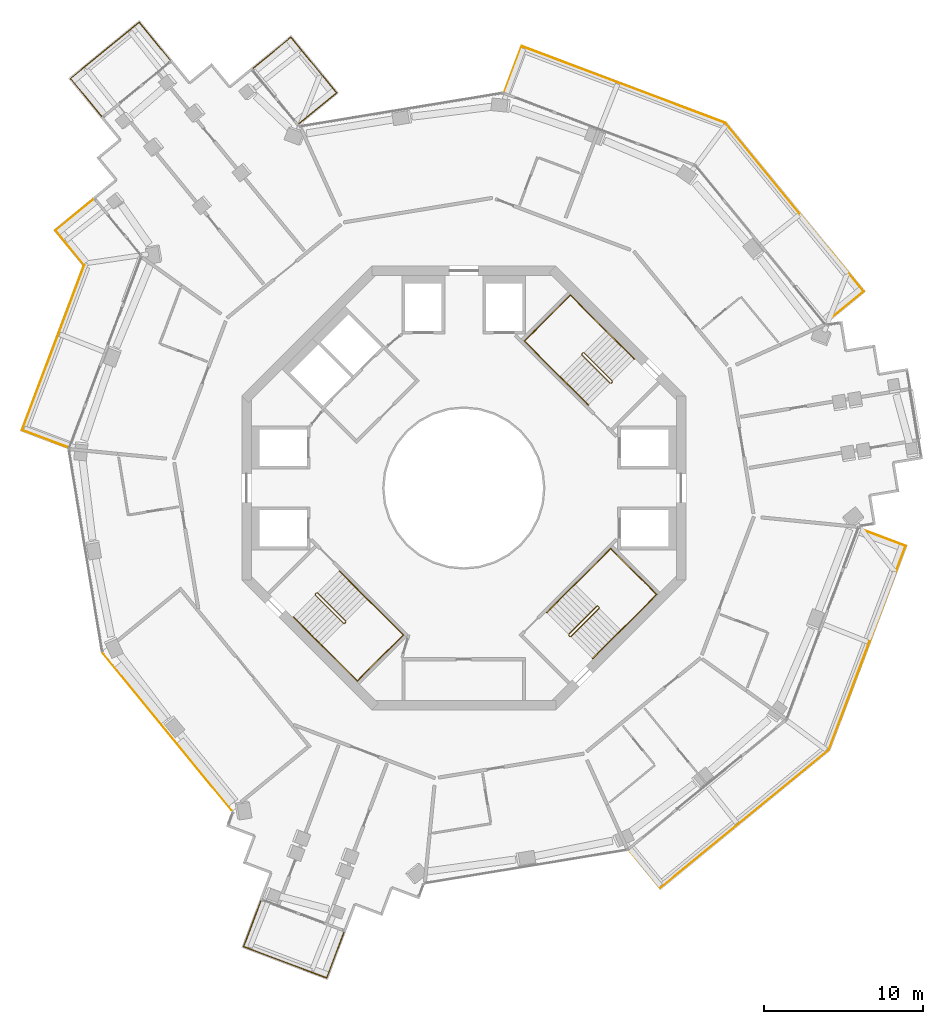
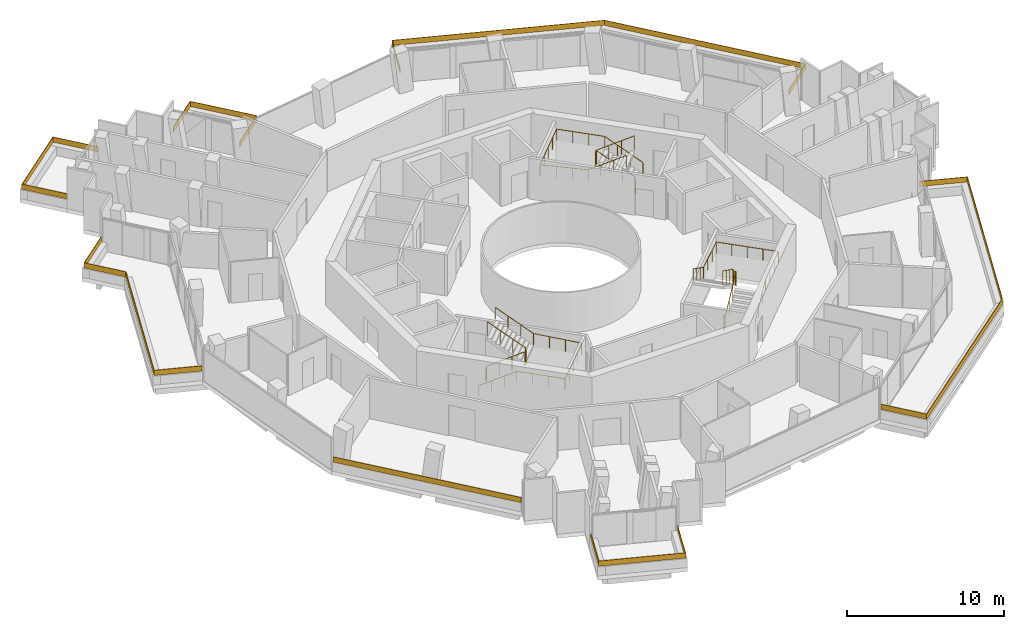
# One storey, part 21 of 21: 13 railings.
"""IFC4 building model written with IfcOpenShell, lengths in metres."""

from ifc_helpers import new_model, si_unit, direction, frame, origin, origin_2d, place, context, subcontext, project, spatial, polyline, rectangle, circle, outline, extrude, material, layer, layer_set, type_object, element, save


model = new_model("IFC4")

# Units and contexts
model_context = context("Model", 3, precision=1e-05, world=origin(), true_north=direction((0.0, 1.0)))
body_context = subcontext(model_context, "Body", "Model", "MODEL_VIEW")
ifc_project = project(units=[si_unit("LENGTHUNIT", "METRE"), si_unit("AREAUNIT", "SQUARE_METRE"), si_unit("VOLUMEUNIT", "CUBIC_METRE"), si_unit("PLANEANGLEUNIT", "RADIAN"), si_unit("MASSUNIT", "GRAM", prefix="KILO")], contexts=[model_context])

# Site, building, storey
site_placement = place(None, origin())
site = spatial("IfcSite", under=ifc_project, at=site_placement, CompositionType="ELEMENT")
building_placement = place(site_placement, origin())
building = spatial("IfcBuilding", under=site, at=building_placement, Name="Verdalira Terraces Hotel", CompositionType="ELEMENT")
storey_placement = place(building_placement, frame((0.0, 0.0, 194.0)))
storey = spatial("IfcBuildingStorey", under=building, at=storey_placement, Name="L47", CompositionType="ELEMENT", Elevation=194.0)

# Railings
ifc_material_1 = material(Name="Laminated glass", Category="glass")
ifc_layer = layer(ifc_material_1, 0.0400390625)
ifc_layer_set = layer_set([ifc_layer], Name="Balcony glass guard 400")
railing_type_1 = type_object("IfcRailingType", Name="Balcony glass guard 400", PredefinedType="GUARDRAIL", material=ifc_layer_set)
railing_1_placement = place(storey_placement, frame((0.0, 0.0, 0.699951)))
element("IfcRailing", 1, at=railing_1_placement, inside=storey, type_object=railing_type_1, Name="Balcony glass guard", PredefinedType="GUARDRAIL", context=body_context, shape_type="SweptSolid", body=[
    extrude(outline(polyline([(-20.474854, 29.345459), (-24.773682, 25.819336), (-22.821045, 23.438721), (-22.851807, 23.41333), (-24.830078, 25.824951), (-20.469238, 29.401855), (-18.491211, 26.990234), (-18.522217, 26.964844), (-20.474854, 29.345459)])), origin(), (0.0, 0.0, 1.0), 0.400146),
])
railing_2_placement = place(storey_placement, frame((0.0, 0.0, 0.699951)))
element("IfcRailing", 2, at=railing_2_placement, inside=storey, type_object=railing_type_1, Name="Balcony glass guard", PredefinedType="GUARDRAIL", context=body_context, shape_type="SweptSolid", body=[
    extrude(outline(polyline([(-25.71875, 16.249268), (-23.919189, 14.05542), (-27.83252, 3.666016), (-24.951172, 2.580811), (-24.965332, 2.543457), (-27.884033, 3.642822), (-23.964844, 14.047852), (-25.775146, 16.254883), (-23.363525, 18.23291), (-23.338135, 18.201904), (-25.71875, 16.249268)])), origin(), (0.0, 0.0, 1.0), 0.400146),
])
railing_3_placement = place(storey_placement, frame((0.0, 0.0, 0.699951)))
element("IfcRailing", 3, at=railing_3_placement, inside=storey, type_object=railing_type_1, Name="Balcony glass guard", PredefinedType="GUARDRAIL", context=body_context, shape_type="SweptSolid", body=[
    extrude(outline(polyline([(-13.859619, -28.908447), (-8.656494, -30.868164), (-7.571289, -27.986816), (-7.533691, -28.000977), (-8.633301, -30.919678), (-13.911133, -28.931641), (-12.811768, -26.012939), (-12.774414, -26.0271), (-13.859619, -28.908447)])), origin(), (0.0, 0.0, 1.0), 0.400146),
])
railing_4_placement = place(storey_placement, frame((0.0, 0.0, 0.699951)))
element("IfcRailing", 4, at=railing_4_placement, inside=storey, type_object=railing_type_1, Name="Balcony glass guard", PredefinedType="GUARDRAIL", context=body_context, shape_type="SweptSolid", body=[
    extrude(outline(polyline([(12.404785, -25.183594), (23.001465, -16.491699), (27.83252, -3.666016), (24.951172, -2.580811), (24.965332, -2.543457), (27.884033, -3.642822), (23.035156, -16.515869), (12.399414, -25.239746), (10.421143, -22.828369), (10.452148, -22.802979), (12.404785, -25.183594)])), origin(), (0.0, 0.0, 1.0), 0.400146),
])
railing_5_placement = place(storey_placement, frame((0.0, 0.0, 0.699951)))
element("IfcRailing", 5, at=railing_5_placement, inside=storey, type_object=railing_type_1, Name="Balcony glass guard", PredefinedType="GUARDRAIL", context=body_context, shape_type="SweptSolid", body=[
    extrude(outline(polyline([(25.183594, 12.404785), (16.491699, 23.001465), (3.666016, 27.83252), (2.580811, 24.951172), (2.543457, 24.965332), (3.642822, 27.884033), (16.515869, 23.035156), (25.239746, 12.399414), (22.828369, 10.421143), (22.802979, 10.452148), (25.183594, 12.404785)])), origin(), (0.0, 0.0, 1.0), 0.400146),
])
railing_6_placement = place(storey_placement, frame((0.0, 0.0, 0.699951)))
element("IfcRailing", 6, at=railing_6_placement, inside=storey, type_object=railing_type_1, Name="Balcony glass guard", PredefinedType="GUARDRAIL", context=body_context, shape_type="SweptSolid", body=[
    extrude(outline(polyline([(-8.053467, 24.924316), (-10.904785, 28.400391), (-13.2854, 26.447754), (-13.310791, 26.47876), (-10.89917, 28.456787), (-7.99707, 24.918701), (-10.408691, 22.940674), (-10.434082, 22.97168), (-8.053467, 24.924316)])), origin(), (0.0, 0.0, 1.0), 0.400146),
])
railing_7_placement = place(storey_placement, frame((-18.717285, -15.352783, 0.699951), z_axis=(0.0, 0.0, 1.0), x_axis=(0.634190889, -0.773176511, 0.0)))
element("IfcRailing", 7, at=railing_7_placement, inside=storey, type_object=railing_type_1, Name="Loggia glass guard", PredefinedType="GUARDRAIL", context=body_context, shape_type="SweptSolid", body=[
    extrude(rectangle(XDim=12.840088, YDim=0.040039, at=origin_2d()), origin(), (0.0, 0.0, 1.0), 0.399902),
])
ifc_material_2 = material(Name="Stainless steel", Category="steel")
railing_type_2 = type_object("IfcRailingType", Name="Stair guard 1100", PredefinedType="GUARDRAIL", material=ifc_material_2)
railing_8_placement = place(storey_placement, frame((9.369141, 6.682129, 0.0)))
element("IfcRailing", 8, at=railing_8_placement, inside=storey, type_object=railing_type_2, Name="L47 ST1 stair guard 1", PredefinedType="GUARDRAIL", context=body_context, shape_type="SweptSolid", body=[
    extrude(circle(Radius=0.023926, at=origin_2d()), frame((0.0, 0.0, 1.076172), z_axis=(-0.707106781, -0.707106781, 0.0), x_axis=(0.707106781, -0.707106781, 0.0)), (0.0, 0.0, 1.0), 0.100098),
    extrude(circle(Radius=0.023926, at=origin_2d()), frame((-0.070801, -0.070801, 1.076172), z_axis=(0.299976798, 0.599953596, 0.741666773), x_axis=(-0.894427191, 0.447213596, 0.0)), (0.0, 0.0, 1.0), 0.236084),
    extrude(circle(Radius=0.023926, at=origin_2d()), frame((0.0, 0.070801, 1.250977), z_axis=(-0.599667044, 0.599584886, 0.529997548), x_axis=(-0.707058338, -0.707155221, 0.0)), (0.0, 0.0, 1.0), 2.97168),
    extrude(circle(Radius=0.023926, at=origin_2d()), frame((-1.781982, 1.852539, 2.826172), z_axis=(-1.0, 0.0, 0.0), x_axis=(0.0, -1.0, 0.0)), (0.0, 0.0, 1.0), 0.070557),
    extrude(circle(Radius=0.023926, at=origin_2d()), frame((-1.852539, 1.852539, 2.826172), z_axis=(-0.70832698, -0.705884473, 0.0), x_axis=(0.705884473, -0.70832698, 0.0)), (0.0, 0.0, 1.0), 0.099854),
    extrude(circle(Radius=0.023926, at=origin_2d()), frame((-1.92334, 1.781982, 2.826172), z_axis=(0.0, -0.374954687, 0.92704314), x_axis=(1.0, 0.0, 0.0)), (0.0, 0.0, 1.0), 0.188721),
    extrude(circle(Radius=0.023926, at=origin_2d()), frame((-1.92334, 1.711182, 3.000977), z_axis=(0.599637504, -0.599637504, 0.52997144), x_axis=(0.707106781, 0.707106781, 0.0)), (0.0, 0.0, 1.0), 2.97168),
    extrude(circle(Radius=0.020996, at=origin_2d()), origin(), (0.0, 0.0, 1.0), 1.052002),
    extrude(circle(Radius=0.020996, at=origin_2d()), frame((-0.070801, -0.070801, 0.0)), (0.0, 0.0, 1.0), 1.052002),
    extrude(circle(Radius=0.020996, at=origin_2d()), frame((0.0, 0.070801, 0.175049)), (0.0, 0.0, 1.0), 1.052002),
    extrude(circle(Radius=0.020996, at=origin_2d()), frame((-0.593994, 0.664795, 0.699951)), (0.0, 0.0, 1.0), 1.052002),
    extrude(circle(Radius=0.020996, at=origin_2d()), frame((-1.187988, 1.258545, 1.225098)), (0.0, 0.0, 1.0), 1.052002),
    extrude(circle(Radius=0.020996, at=origin_2d()), frame((-1.781982, 1.852539, 1.75)), (0.0, 0.0, 1.0), 1.052002),
    extrude(circle(Radius=0.020996, at=origin_2d()), frame((-1.852539, 1.852539, 1.75)), (0.0, 0.0, 1.0), 1.052002),
    extrude(circle(Radius=0.020996, at=origin_2d()), frame((-1.92334, 1.781982, 1.75)), (0.0, 0.0, 1.0), 1.052002),
    extrude(circle(Radius=0.020996, at=origin_2d()), frame((-1.92334, 1.711182, 1.925049)), (0.0, 0.0, 1.0), 1.052002),
    extrude(circle(Radius=0.020996, at=origin_2d()), frame((-1.329346, 1.117188, 2.449951)), (0.0, 0.0, 1.0), 1.052002),
    extrude(circle(Radius=0.020996, at=origin_2d()), frame((-0.735352, 0.523193, 2.975098)), (0.0, 0.0, 1.0), 1.052002),
    extrude(circle(Radius=0.020996, at=origin_2d()), frame((-0.141357, -0.070801, 3.5)), (0.0, 0.0, 1.0), 1.052002),
])
railing_9_placement = place(storey_placement, frame((-9.369141, -6.682129, 0.0)))
element("IfcRailing", 9, at=railing_9_placement, inside=storey, type_object=railing_type_2, Name="L47 ST2 stair guard 1", PredefinedType="GUARDRAIL", context=body_context, shape_type="SweptSolid", body=[
    extrude(circle(Radius=0.023926, at=origin_2d()), frame((0.0, 0.0, 1.076172), z_axis=(0.707106781, 0.707106781, 0.0), x_axis=(-0.707106781, 0.707106781, 0.0)), (0.0, 0.0, 1.0), 0.100098),
    extrude(circle(Radius=0.023926, at=origin_2d()), frame((0.070801, 0.070801, 1.076172), z_axis=(-0.299976798, -0.599953596, 0.741666773), x_axis=(0.894427191, -0.447213596, 0.0)), (0.0, 0.0, 1.0), 0.236084),
    extrude(circle(Radius=0.023926, at=origin_2d()), frame((0.0, -0.070801, 1.250977), z_axis=(0.599667044, -0.599584886, 0.529997548), x_axis=(0.707058338, 0.707155221, 0.0)), (0.0, 0.0, 1.0), 2.97168),
    extrude(circle(Radius=0.023926, at=origin_2d()), frame((1.781982, -1.852539, 2.826172), z_axis=(1.0, 0.0, 0.0), x_axis=(0.0, 1.0, 0.0)), (0.0, 0.0, 1.0), 0.070557),
    extrude(circle(Radius=0.023926, at=origin_2d()), frame((1.852539, -1.852539, 2.826172), z_axis=(0.70832698, 0.705884473, 0.0), x_axis=(-0.705884473, 0.70832698, 0.0)), (0.0, 0.0, 1.0), 0.099854),
    extrude(circle(Radius=0.023926, at=origin_2d()), frame((1.92334, -1.781982, 2.826172), z_axis=(0.0, 0.374954687, 0.92704314), x_axis=(-1.0, 0.0, 0.0)), (0.0, 0.0, 1.0), 0.188721),
    extrude(circle(Radius=0.023926, at=origin_2d()), frame((1.92334, -1.711182, 3.000977), z_axis=(-0.599637504, 0.599637504, 0.52997144), x_axis=(-0.707106781, -0.707106781, 0.0)), (0.0, 0.0, 1.0), 2.97168),
    extrude(circle(Radius=0.020996, at=origin_2d()), origin(), (0.0, 0.0, 1.0), 1.052002),
    extrude(circle(Radius=0.020996, at=origin_2d()), frame((0.070801, 0.070801, 0.0)), (0.0, 0.0, 1.0), 1.052002),
    extrude(circle(Radius=0.020996, at=origin_2d()), frame((0.0, -0.070801, 0.175049)), (0.0, 0.0, 1.0), 1.052002),
    extrude(circle(Radius=0.020996, at=origin_2d()), frame((0.593994, -0.664795, 0.699951)), (0.0, 0.0, 1.0), 1.052002),
    extrude(circle(Radius=0.020996, at=origin_2d()), frame((1.187988, -1.258545, 1.225098)), (0.0, 0.0, 1.0), 1.052002),
    extrude(circle(Radius=0.020996, at=origin_2d()), frame((1.781982, -1.852539, 1.75)), (0.0, 0.0, 1.0), 1.052002),
    extrude(circle(Radius=0.020996, at=origin_2d()), frame((1.852539, -1.852539, 1.75)), (0.0, 0.0, 1.0), 1.052002),
    extrude(circle(Radius=0.020996, at=origin_2d()), frame((1.92334, -1.781982, 1.75)), (0.0, 0.0, 1.0), 1.052002),
    extrude(circle(Radius=0.020996, at=origin_2d()), frame((1.92334, -1.711182, 1.925049)), (0.0, 0.0, 1.0), 1.052002),
    extrude(circle(Radius=0.020996, at=origin_2d()), frame((1.329346, -1.117188, 2.449951)), (0.0, 0.0, 1.0), 1.052002),
    extrude(circle(Radius=0.020996, at=origin_2d()), frame((0.735352, -0.523193, 2.975098)), (0.0, 0.0, 1.0), 1.052002),
    extrude(circle(Radius=0.020996, at=origin_2d()), frame((0.141357, 0.070801, 3.5)), (0.0, 0.0, 1.0), 1.052002),
])
railing_10_placement = place(storey_placement, frame((6.682129, -9.369141, 0.0)))
element("IfcRailing", 10, at=railing_10_placement, inside=storey, type_object=railing_type_2, Name="L47 ST3 stair guard 1", PredefinedType="GUARDRAIL", context=body_context, shape_type="SweptSolid", body=[
    extrude(circle(Radius=0.023926, at=origin_2d()), frame((0.0, 0.0, 1.076172), z_axis=(-0.707106781, 0.707106781, 0.0), x_axis=(-0.707106781, -0.707106781, 0.0)), (0.0, 0.0, 1.0), 0.100098),
    extrude(circle(Radius=0.023926, at=origin_2d()), frame((-0.070801, 0.070801, 1.076172), z_axis=(0.599953596, -0.299976798, 0.741666773), x_axis=(0.447213596, 0.894427191, 0.0)), (0.0, 0.0, 1.0), 0.236084),
    extrude(circle(Radius=0.023926, at=origin_2d()), frame((0.070801, 0.0, 1.250977), z_axis=(0.599584886, 0.599667044, 0.529997548), x_axis=(-0.707155221, 0.707058338, 0.0)), (0.0, 0.0, 1.0), 2.97168),
    extrude(circle(Radius=0.023926, at=origin_2d()), frame((1.852539, 1.781982, 2.826172), z_axis=(0.0, 1.0, 0.0), x_axis=(-1.0, 0.0, 0.0)), (0.0, 0.0, 1.0), 0.070557),
    extrude(circle(Radius=0.023926, at=origin_2d()), frame((1.852539, 1.852539, 2.826172), z_axis=(-0.705884473, 0.70832698, 0.0), x_axis=(-0.70832698, -0.705884473, 0.0)), (0.0, 0.0, 1.0), 0.099854),
    extrude(circle(Radius=0.023926, at=origin_2d()), frame((1.781982, 1.92334, 2.826172), z_axis=(-0.374954687, 0.0, 0.92704314), x_axis=(0.0, -1.0, 0.0)), (0.0, 0.0, 1.0), 0.188721),
    extrude(circle(Radius=0.023926, at=origin_2d()), frame((1.711182, 1.92334, 3.000977), z_axis=(-0.599637504, -0.599637504, 0.52997144), x_axis=(0.707106781, -0.707106781, 0.0)), (0.0, 0.0, 1.0), 2.97168),
    extrude(circle(Radius=0.020996, at=origin_2d()), origin(), (0.0, 0.0, 1.0), 1.052002),
    extrude(circle(Radius=0.020996, at=origin_2d()), frame((-0.070801, 0.070801, 0.0)), (0.0, 0.0, 1.0), 1.052002),
    extrude(circle(Radius=0.020996, at=origin_2d()), frame((0.070801, 0.0, 0.175049)), (0.0, 0.0, 1.0), 1.052002),
    extrude(circle(Radius=0.020996, at=origin_2d()), frame((0.664795, 0.593994, 0.699951)), (0.0, 0.0, 1.0), 1.052002),
    extrude(circle(Radius=0.020996, at=origin_2d()), frame((1.258545, 1.187988, 1.225098)), (0.0, 0.0, 1.0), 1.052002),
    extrude(circle(Radius=0.020996, at=origin_2d()), frame((1.852539, 1.781982, 1.75)), (0.0, 0.0, 1.0), 1.052002),
    extrude(circle(Radius=0.020996, at=origin_2d()), frame((1.852539, 1.852539, 1.75)), (0.0, 0.0, 1.0), 1.052002),
    extrude(circle(Radius=0.020996, at=origin_2d()), frame((1.781982, 1.92334, 1.75)), (0.0, 0.0, 1.0), 1.052002),
    extrude(circle(Radius=0.020996, at=origin_2d()), frame((1.711182, 1.92334, 1.925049)), (0.0, 0.0, 1.0), 1.052002),
    extrude(circle(Radius=0.020996, at=origin_2d()), frame((1.117188, 1.329346, 2.449951)), (0.0, 0.0, 1.0), 1.052002),
    extrude(circle(Radius=0.020996, at=origin_2d()), frame((0.523193, 0.735352, 2.975098)), (0.0, 0.0, 1.0), 1.052002),
    extrude(circle(Radius=0.020996, at=origin_2d()), frame((-0.070801, 0.141357, 3.5)), (0.0, 0.0, 1.0), 1.052002),
])
ifc_material_3 = material(Name="Stainless steel", Category="steel")
railing_type_3 = type_object("IfcRailingType", Name="Stair handrail 900", PredefinedType="HANDRAIL", material=ifc_material_3)
railing_11_placement = place(storey_placement, frame((10.748047, 8.131836, 0.175049)))
element("IfcRailing", 11, at=railing_11_placement, inside=storey, type_object=railing_type_3, Name="L47 ST1 stair handrail 1", PredefinedType="HANDRAIL", context=body_context, shape_type="SweptSolid", body=[
    extrude(circle(Radius=0.023926, at=origin_2d()), frame((0.0, 0.0, 0.875977), z_axis=(-0.599667044, 0.599584886, 0.529997548), x_axis=(-0.707058338, -0.707155221, 0.0)), (0.0, 0.0, 1.0), 2.97168),
    extrude(circle(Radius=0.023926, at=origin_2d()), frame((-1.781982, 1.781738, 2.450684), z_axis=(-0.707068394, 0.707145166, 0.0), x_axis=(-0.707145166, -0.707068394, 0.0)), (0.0, 0.0, 1.0), 3.180176),
    extrude(circle(Radius=0.023926, at=origin_2d()), frame((-4.030518, 4.030518, 2.450684), z_axis=(-0.707106781, -0.707106781, 0.0), x_axis=(0.707106781, -0.707106781, 0.0)), (0.0, 0.0, 1.0), 4.100098),
    extrude(circle(Radius=0.023926, at=origin_2d()), frame((-6.929688, 1.131348, 2.450684), z_axis=(0.705999616, -0.706076271, 0.054962185), x_axis=(0.707145166, 0.707068394, 0.0)), (0.0, 0.0, 1.0), 3.184814),
    extrude(circle(Radius=0.023926, at=origin_2d()), frame((-4.681152, -1.117432, 2.625977), z_axis=(0.599667044, -0.599584886, 0.529997548), x_axis=(0.707058338, 0.707155221, 0.0)), (0.0, 0.0, 1.0), 2.97168),
    extrude(circle(Radius=0.020996, at=origin_2d()), origin(), (0.0, 0.0, 1.0), 0.851807),
    extrude(circle(Radius=0.020996, at=origin_2d()), frame((-0.593994, 0.593994, 0.524902)), (0.0, 0.0, 1.0), 0.851807),
    extrude(circle(Radius=0.020996, at=origin_2d()), frame((-1.187988, 1.187744, 1.050049)), (0.0, 0.0, 1.0), 0.851807),
    extrude(circle(Radius=0.020996, at=origin_2d()), frame((-1.781982, 1.781738, 1.574951)), (0.0, 0.0, 1.0), 0.851807),
    extrude(circle(Radius=0.020996, at=origin_2d()), frame((-2.531494, 2.53125, 1.574951)), (0.0, 0.0, 1.0), 0.851807),
    extrude(circle(Radius=0.020996, at=origin_2d()), frame((-3.281006, 3.281006, 1.574951)), (0.0, 0.0, 1.0), 0.851807),
    extrude(circle(Radius=0.020996, at=origin_2d()), frame((-4.030518, 4.030518, 1.574951)), (0.0, 0.0, 1.0), 0.851807),
    extrude(circle(Radius=0.020996, at=origin_2d()), frame((-4.755371, 3.305664, 1.574951)), (0.0, 0.0, 1.0), 0.851807),
    extrude(circle(Radius=0.020996, at=origin_2d()), frame((-5.47998, 2.581055, 1.574951)), (0.0, 0.0, 1.0), 0.851807),
    extrude(circle(Radius=0.020996, at=origin_2d()), frame((-6.204834, 1.856201, 1.574951)), (0.0, 0.0, 1.0), 0.851807),
    extrude(circle(Radius=0.020996, at=origin_2d()), frame((-6.929688, 1.131348, 1.574951)), (0.0, 0.0, 1.0), 0.851807),
    extrude(circle(Radius=0.020996, at=origin_2d()), frame((-6.180176, 0.381836, 1.633301)), (0.0, 0.0, 1.0), 0.851807),
    extrude(circle(Radius=0.020996, at=origin_2d()), frame((-5.430664, -0.36792, 1.69165)), (0.0, 0.0, 1.0), 0.851807),
    extrude(circle(Radius=0.020996, at=origin_2d()), frame((-4.681152, -1.117432, 1.75)), (0.0, 0.0, 1.0), 0.851807),
    extrude(circle(Radius=0.020996, at=origin_2d()), frame((-4.087158, -1.711426, 2.274902)), (0.0, 0.0, 1.0), 0.851807),
    extrude(circle(Radius=0.020996, at=origin_2d()), frame((-3.493164, -2.305176, 2.800049)), (0.0, 0.0, 1.0), 0.851807),
    extrude(circle(Radius=0.020996, at=origin_2d()), frame((-2.89917, -2.89917, 3.324951)), (0.0, 0.0, 1.0), 0.851807),
])
railing_12_placement = place(storey_placement, frame((-10.748047, -8.131836, 0.175049)))
element("IfcRailing", 12, at=railing_12_placement, inside=storey, type_object=railing_type_3, Name="L47 ST2 stair handrail 1", PredefinedType="HANDRAIL", context=body_context, shape_type="SweptSolid", body=[
    extrude(circle(Radius=0.023926, at=origin_2d()), frame((0.0, 0.0, 0.875977), z_axis=(0.599667044, -0.599584886, 0.529997548), x_axis=(0.707058338, 0.707155221, 0.0)), (0.0, 0.0, 1.0), 2.97168),
    extrude(circle(Radius=0.023926, at=origin_2d()), frame((1.781982, -1.781738, 2.450684), z_axis=(0.707068394, -0.707145166, 0.0), x_axis=(0.707145166, 0.707068394, 0.0)), (0.0, 0.0, 1.0), 3.180176),
    extrude(circle(Radius=0.023926, at=origin_2d()), frame((4.030518, -4.030518, 2.450684), z_axis=(0.707106781, 0.707106781, 0.0), x_axis=(-0.707106781, 0.707106781, 0.0)), (0.0, 0.0, 1.0), 4.100098),
    extrude(circle(Radius=0.023926, at=origin_2d()), frame((6.929688, -1.131348, 2.450684), z_axis=(-0.705999616, 0.706076271, 0.054962185), x_axis=(-0.707145166, -0.707068394, 0.0)), (0.0, 0.0, 1.0), 3.184814),
    extrude(circle(Radius=0.023926, at=origin_2d()), frame((4.681152, 1.117432, 2.625977), z_axis=(-0.599667044, 0.599584886, 0.529997548), x_axis=(-0.707058338, -0.707155221, 0.0)), (0.0, 0.0, 1.0), 2.97168),
    extrude(circle(Radius=0.020996, at=origin_2d()), origin(), (0.0, 0.0, 1.0), 0.851807),
    extrude(circle(Radius=0.020996, at=origin_2d()), frame((0.593994, -0.593994, 0.524902)), (0.0, 0.0, 1.0), 0.851807),
    extrude(circle(Radius=0.020996, at=origin_2d()), frame((1.187988, -1.187744, 1.050049)), (0.0, 0.0, 1.0), 0.851807),
    extrude(circle(Radius=0.020996, at=origin_2d()), frame((1.781982, -1.781738, 1.574951)), (0.0, 0.0, 1.0), 0.851807),
    extrude(circle(Radius=0.020996, at=origin_2d()), frame((2.531494, -2.53125, 1.574951)), (0.0, 0.0, 1.0), 0.851807),
    extrude(circle(Radius=0.020996, at=origin_2d()), frame((3.281006, -3.281006, 1.574951)), (0.0, 0.0, 1.0), 0.851807),
    extrude(circle(Radius=0.020996, at=origin_2d()), frame((4.030518, -4.030518, 1.574951)), (0.0, 0.0, 1.0), 0.851807),
    extrude(circle(Radius=0.020996, at=origin_2d()), frame((4.755371, -3.305664, 1.574951)), (0.0, 0.0, 1.0), 0.851807),
    extrude(circle(Radius=0.020996, at=origin_2d()), frame((5.47998, -2.581055, 1.574951)), (0.0, 0.0, 1.0), 0.851807),
    extrude(circle(Radius=0.020996, at=origin_2d()), frame((6.204834, -1.856201, 1.574951)), (0.0, 0.0, 1.0), 0.851807),
    extrude(circle(Radius=0.020996, at=origin_2d()), frame((6.929688, -1.131348, 1.574951)), (0.0, 0.0, 1.0), 0.851807),
    extrude(circle(Radius=0.020996, at=origin_2d()), frame((6.180176, -0.381836, 1.633301)), (0.0, 0.0, 1.0), 0.851807),
    extrude(circle(Radius=0.020996, at=origin_2d()), frame((5.430664, 0.36792, 1.69165)), (0.0, 0.0, 1.0), 0.851807),
    extrude(circle(Radius=0.020996, at=origin_2d()), frame((4.681152, 1.117432, 1.75)), (0.0, 0.0, 1.0), 0.851807),
    extrude(circle(Radius=0.020996, at=origin_2d()), frame((4.087158, 1.711426, 2.274902)), (0.0, 0.0, 1.0), 0.851807),
    extrude(circle(Radius=0.020996, at=origin_2d()), frame((3.493164, 2.305176, 2.800049)), (0.0, 0.0, 1.0), 0.851807),
    extrude(circle(Radius=0.020996, at=origin_2d()), frame((2.89917, 2.89917, 3.324951)), (0.0, 0.0, 1.0), 0.851807),
])
railing_13_placement = place(storey_placement, frame((8.131836, -10.748047, 0.175049)))
element("IfcRailing", 13, at=railing_13_placement, inside=storey, type_object=railing_type_3, Name="L47 ST3 stair handrail 1", PredefinedType="HANDRAIL", context=body_context, shape_type="SweptSolid", body=[
    extrude(circle(Radius=0.023926, at=origin_2d()), frame((0.0, 0.0, 0.875977), z_axis=(0.599584886, 0.599667044, 0.529997548), x_axis=(-0.707155221, 0.707058338, 0.0)), (0.0, 0.0, 1.0), 2.97168),
    extrude(circle(Radius=0.023926, at=origin_2d()), frame((1.781738, 1.781982, 2.450684), z_axis=(0.707145166, 0.707068394, 0.0), x_axis=(-0.707068394, 0.707145166, 0.0)), (0.0, 0.0, 1.0), 3.180176),
    extrude(circle(Radius=0.023926, at=origin_2d()), frame((4.030518, 4.030518, 2.450684), z_axis=(-0.707106781, 0.707106781, 0.0), x_axis=(-0.707106781, -0.707106781, 0.0)), (0.0, 0.0, 1.0), 4.100098),
    extrude(circle(Radius=0.023926, at=origin_2d()), frame((1.131348, 6.929688, 2.450684), z_axis=(-0.706076271, -0.705999616, 0.054962185), x_axis=(0.707068394, -0.707145166, 0.0)), (0.0, 0.0, 1.0), 3.184814),
    extrude(circle(Radius=0.023926, at=origin_2d()), frame((-1.117432, 4.681152, 2.625977), z_axis=(-0.599584886, -0.599667044, 0.529997548), x_axis=(0.707155221, -0.707058338, 0.0)), (0.0, 0.0, 1.0), 2.97168),
    extrude(circle(Radius=0.020996, at=origin_2d()), origin(), (0.0, 0.0, 1.0), 0.851807),
    extrude(circle(Radius=0.020996, at=origin_2d()), frame((0.593994, 0.593994, 0.524902)), (0.0, 0.0, 1.0), 0.851807),
    extrude(circle(Radius=0.020996, at=origin_2d()), frame((1.187744, 1.187988, 1.050049)), (0.0, 0.0, 1.0), 0.851807),
    extrude(circle(Radius=0.020996, at=origin_2d()), frame((1.781738, 1.781982, 1.574951)), (0.0, 0.0, 1.0), 0.851807),
    extrude(circle(Radius=0.020996, at=origin_2d()), frame((2.53125, 2.531494, 1.574951)), (0.0, 0.0, 1.0), 0.851807),
    extrude(circle(Radius=0.020996, at=origin_2d()), frame((3.281006, 3.281006, 1.574951)), (0.0, 0.0, 1.0), 0.851807),
    extrude(circle(Radius=0.020996, at=origin_2d()), frame((4.030518, 4.030518, 1.574951)), (0.0, 0.0, 1.0), 0.851807),
    extrude(circle(Radius=0.020996, at=origin_2d()), frame((3.305664, 4.755371, 1.574951)), (0.0, 0.0, 1.0), 0.851807),
    extrude(circle(Radius=0.020996, at=origin_2d()), frame((2.581055, 5.47998, 1.574951)), (0.0, 0.0, 1.0), 0.851807),
    extrude(circle(Radius=0.020996, at=origin_2d()), frame((1.856201, 6.204834, 1.574951)), (0.0, 0.0, 1.0), 0.851807),
    extrude(circle(Radius=0.020996, at=origin_2d()), frame((1.131348, 6.929688, 1.574951)), (0.0, 0.0, 1.0), 0.851807),
    extrude(circle(Radius=0.020996, at=origin_2d()), frame((0.381836, 6.180176, 1.633301)), (0.0, 0.0, 1.0), 0.851807),
    extrude(circle(Radius=0.020996, at=origin_2d()), frame((-0.36792, 5.430664, 1.69165)), (0.0, 0.0, 1.0), 0.851807),
    extrude(circle(Radius=0.020996, at=origin_2d()), frame((-1.117432, 4.681152, 1.75)), (0.0, 0.0, 1.0), 0.851807),
    extrude(circle(Radius=0.020996, at=origin_2d()), frame((-1.711426, 4.087158, 2.274902)), (0.0, 0.0, 1.0), 0.851807),
    extrude(circle(Radius=0.020996, at=origin_2d()), frame((-2.305176, 3.493164, 2.800049)), (0.0, 0.0, 1.0), 0.851807),
    extrude(circle(Radius=0.020996, at=origin_2d()), frame((-2.89917, 2.89917, 3.324951)), (0.0, 0.0, 1.0), 0.851807),
])

save(model, "model.ifc")
